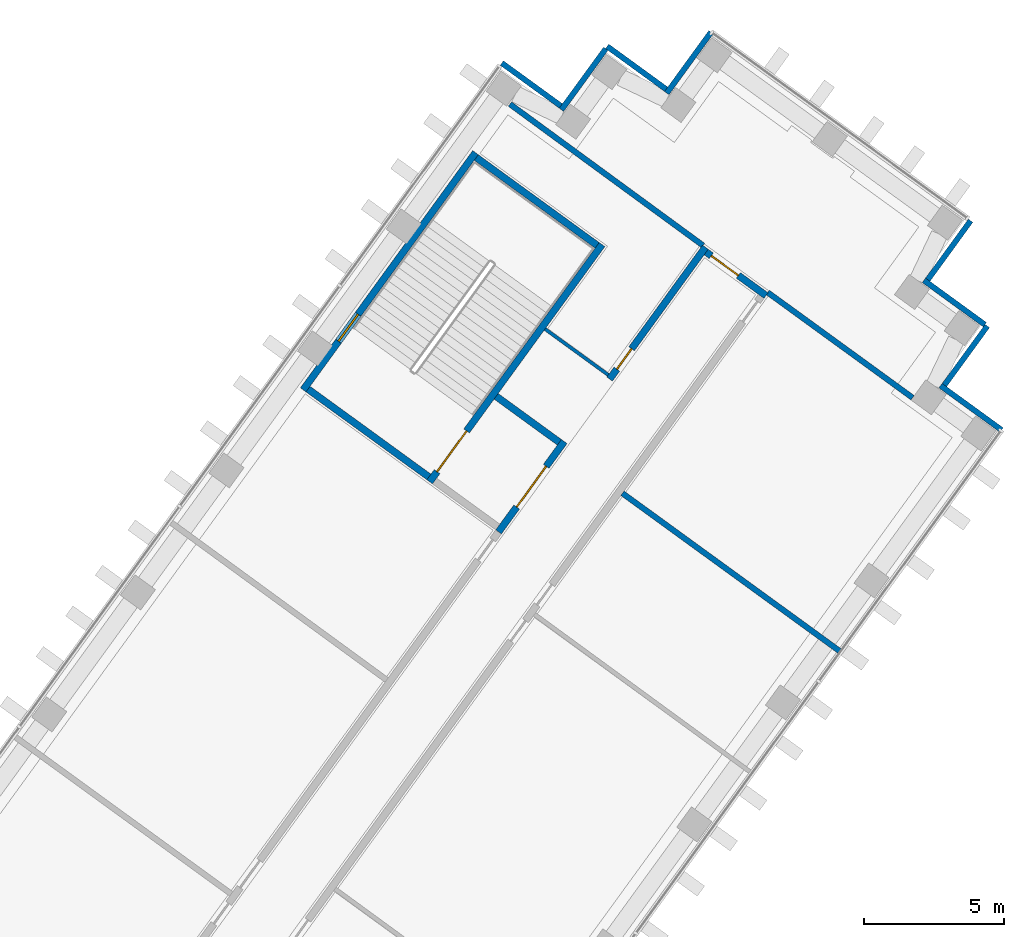
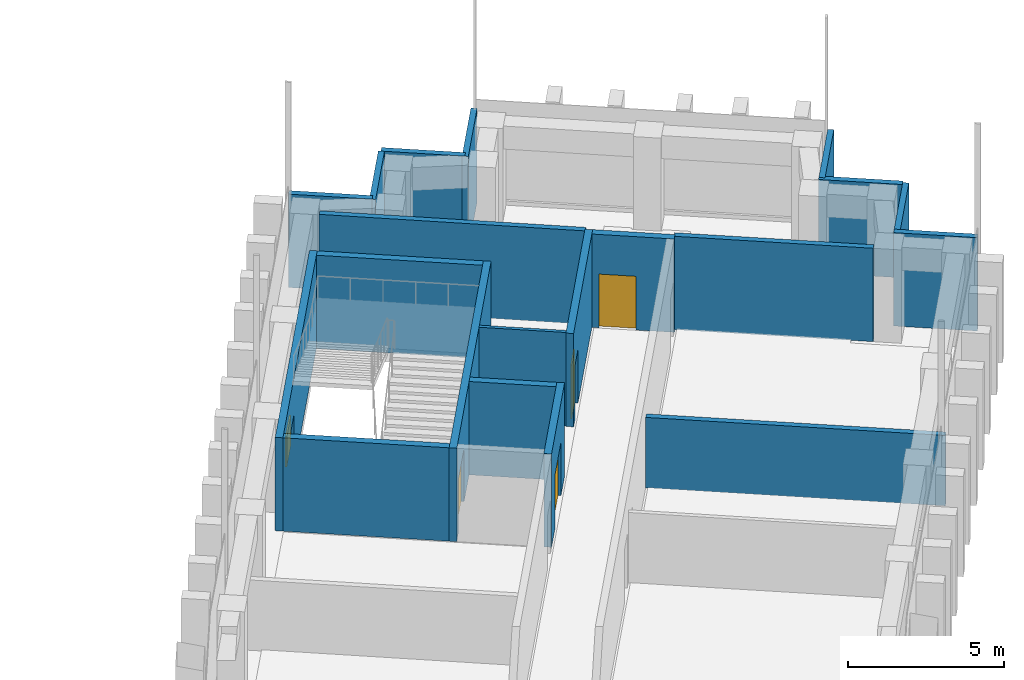
# One storey, part 14 of 19: 20 walls, 4 doors, 1 window, 5 openings.
"""IFC4 building model written with IfcOpenShell, lengths in metres."""

from ifc_helpers import new_model, si_unit, direction, frame, frame_2d, origin, place, context, subcontext, project, spatial, rectangle, extrude, material, layer, layer_set, type_object, element, fill, save


model = new_model("IFC4")

# Units and contexts
model_context = context("Model", 3, precision=1e-05, world=origin(), true_north=direction((0.0, 1.0)))
body_context = subcontext(model_context, "Body", "Model", "MODEL_VIEW")
ifc_project = project(units=[si_unit("LENGTHUNIT", "METRE"), si_unit("AREAUNIT", "SQUARE_METRE"), si_unit("VOLUMEUNIT", "CUBIC_METRE"), si_unit("PLANEANGLEUNIT", "RADIAN"), si_unit("MASSUNIT", "GRAM", prefix="KILO")], contexts=[model_context])

# Site, building, storey
site_placement = place(None, origin())
site = spatial("IfcSite", under=ifc_project, at=site_placement, CompositionType="ELEMENT")
building_placement = place(site_placement, origin())
building = spatial("IfcBuilding", under=site, at=building_placement, Name="Quipu Civic Tower", CompositionType="ELEMENT")
storey_placement = place(building_placement, frame((0.0, 0.0, 47.0)))
storey = spatial("IfcBuildingStorey", under=building, at=storey_placement, Name="L10", CompositionType="ELEMENT", Elevation=47.0)

# Walls
ifc_material_1 = material(Name="Fired clay blockwork", Category="masonry")
ifc_layer_1 = layer(ifc_material_1, 0.199951171875)
ifc_layer_set_1 = layer_set([ifc_layer_1], Name="Fired clay blockwork")
wall_type_1 = type_object("IfcWallType", Name="Blockwork wall 200", PredefinedType="SOLIDWALL", material=ifc_layer_set_1)
wall_1_placement = place(storey_placement, frame((37.643310546875, 41.296875, 0.0), z_axis=(0.0, 0.0, 1.0), x_axis=(0.806949857155, -0.590619952286, 0.0)))
element("IfcWall", 1, at=wall_1_placement, inside=storey, type_object=wall_type_1, Name="Partition P01", PredefinedType="SOLIDWALL", context=body_context, shape_type="SweptSolid", body=[
    extrude(rectangle(XDim=8.5703125, YDim=0.199951171875, at=frame_2d((4.28515625, 0.0))), origin(), (0.0, 0.0, 1.0), 3.64990234375),
])
wall_2_placement = place(storey_placement, frame((46.872802734375, 34.553955078125, 0.0), z_axis=(0.0, 0.0, 1.0), x_axis=(0.808992766665, -0.58781859743, 0.0)))
element("IfcWall", 2, at=wall_2_placement, inside=storey, type_object=wall_type_1, Name="Partition P02", PredefinedType="SOLIDWALL", context=body_context, shape_type="SweptSolid", body=[
    extrude(rectangle(XDim=6.414306640625, YDim=0.199951171875, at=frame_2d((3.20703125, 0.0))), origin(), (0.0, 0.0, 1.0), 3.64990234375),
])
wall_3_placement = place(storey_placement, frame((49.47998046875, 21.689697265625, 0.0), z_axis=(0.0, 0.0, 1.0), x_axis=(-0.808999631097, 0.587809150052, 0.0)))
element("IfcWall", 3, at=wall_3_placement, inside=storey, type_object=wall_type_1, Name="Partition P07", PredefinedType="SOLIDWALL", context=body_context, shape_type="SweptSolid", body=[
    extrude(rectangle(XDim=9.6513671875, YDim=0.199951171875, at=frame_2d((4.82568359375, 0.0))), origin(), (0.0, 0.0, 1.0), 2.75),
])

# Wall, opening, door
ifc_material_2 = material(Name="Concrete C70/85", Category="concrete")
ifc_layer_2 = layer(ifc_material_2, 0.25)
ifc_layer_set_2 = layer_set([ifc_layer_2], Name="Concrete C70/85")
wall_type_2 = type_object("IfcWallType", Name="Core wall 250", PredefinedType="SHEAR", material=ifc_layer_set_2)
wall_4_placement = place(storey_placement, frame((37.237548828125, 25.979736328125, 0.0), z_axis=(0.0, 0.0, 1.0), x_axis=(0.587772420479, 0.809026317077, 0.0)))
wall_4 = element("IfcWall", 4, at=wall_4_placement, inside=storey, type_object=wall_type_2, Name="Core wall", PredefinedType="SHEAR", context=body_context, shape_type="SweptSolid", body=[
    extrude(rectangle(XDim=4.0, YDim=0.25, at=frame_2d((2.0, 0.0))), origin(), (0.0, 0.0, 1.0), 3.64990234375),
])
opening_1_placement = place(wall_4_placement, frame((1.10009765625, 0.0, 0.0)))
opening_1 = element("IfcOpeningElement", 5, at=opening_1_placement, cuts=wall_4, Name="Opening CD-20", PredefinedType="OPENING", context=body_context, shape_type="SweptSolid", body=[
    extrude(rectangle(XDim=1.800048828125, YDim=2.10009765625, at=frame_2d((0.89990234375, 1.050048828125))), frame((0.0, 0.135009765625, 0.0), z_axis=(0.0, -1.0, 0.0), x_axis=(1.0, 0.0, 0.0)), (0.0, 0.0, 1.0), 0.27001953125),
])
ifc_material_3 = material(Name="Fire rated steel door", Category="steel")
door_type_1 = type_object("IfcDoorType", Name="Fire door FD90 double 1800 x 2100", OperationType="NOTDEFINED", PredefinedType="DOOR", material=ifc_material_3)
door_1_placement = place(opening_1_placement, origin())
door_1 = element("IfcDoor", 6, at=door_1_placement, inside=storey, type_object=door_type_1, Name="Lobby door", OperationType="DOUBLE_DOOR_SINGLE_SWING", OverallHeight=2.10009765625, OverallWidth=1.800048828125, PredefinedType="DOOR", context=body_context, shape_type="SweptSolid", body=[
    extrude(rectangle(XDim=1.800048828125, YDim=2.10009765625, at=frame_2d((0.89990234375, 1.050048828125))), frame((0.0, 0.02490234375, 0.0), z_axis=(0.0, -1.0, 0.0), x_axis=(1.0, 0.0, 0.0)), (0.0, 0.0, 1.0), 0.050048828125),
])
fill(opening_1, door_1)

# Wall
wall_5_placement = place(storey_placement, frame((39.4140625, 29.18798828125, 0.0), z_axis=(0.0, 0.0, 1.0), x_axis=(-0.808969789945, 0.58785021813, 0.0)))
element("IfcWall", 7, at=wall_5_placement, inside=storey, type_object=wall_type_2, Name="Core wall", PredefinedType="SHEAR", context=body_context, shape_type="SweptSolid", body=[
    extrude(rectangle(XDim=2.800048828125, YDim=0.25, at=frame_2d((1.39990234375, 0.0))), origin(), (0.0, 0.0, 1.0), 3.64990234375),
])

# Wall, opening, door
wall_6_placement = place(storey_placement, frame((34.77001953125, 27.7724609375, 0.0), z_axis=(0.0, 0.0, 1.0), x_axis=(0.587795589702, 0.809009483706, 0.0)))
wall_6 = element("IfcWall", 8, at=wall_6_placement, inside=storey, type_object=wall_type_2, Name="Core wall", PredefinedType="SHEAR", context=body_context, shape_type="SweptSolid", body=[
    extrude(rectangle(XDim=10.5, YDim=0.25, at=frame_2d((5.25, 0.0))), origin(), (0.0, 0.0, 1.0), 3.64990234375),
])
opening_2_placement = place(wall_6_placement, frame((0.449951171875, 0.0, 0.0)))
opening_2 = element("IfcOpeningElement", 9, at=opening_2_placement, cuts=wall_6, Name="Opening CD-21", PredefinedType="OPENING", context=body_context, shape_type="SweptSolid", body=[
    extrude(rectangle(XDim=1.800048828125, YDim=2.10009765625, at=frame_2d((0.89990234375, 1.050048828125))), frame((0.0, 0.135009765625, 0.0), z_axis=(0.0, -1.0, 0.0), x_axis=(1.0, 0.0, 0.0)), (0.0, 0.0, 1.0), 0.27001953125),
])
door_2_placement = place(opening_2_placement, origin())
door_2 = element("IfcDoor", 10, at=door_2_placement, inside=storey, type_object=door_type_1, Name="Door", OperationType="DOUBLE_DOOR_SINGLE_SWING", OverallHeight=2.10009765625, OverallWidth=1.800048828125, PredefinedType="DOOR", context=body_context, shape_type="SweptSolid", body=[
    extrude(rectangle(XDim=1.800048828125, YDim=2.10009765625, at=frame_2d((0.89990234375, 1.050048828125))), frame((0.0, 0.02490234375, 0.0), z_axis=(0.0, -1.0, 0.0), x_axis=(1.0, 0.0, 0.0)), (0.0, 0.0, 1.0), 0.050048828125),
])
fill(opening_2, door_2)

# Walls
wall_7_placement = place(storey_placement, frame((34.742431640625, 27.947021484375, 0.0), z_axis=(0.0, 0.0, 1.0), x_axis=(-0.8089984606, 0.587810760999, 0.0)))
element("IfcWall", 11, at=wall_7_placement, inside=storey, type_object=wall_type_2, Name="Core wall", PredefinedType="SHEAR", context=body_context, shape_type="SweptSolid", body=[
    extrude(rectangle(XDim=5.35009765625, YDim=0.25, at=frame_2d((2.675048828125, 0.0))), origin(), (0.0, 0.0, 1.0), 3.64990234375),
])
wall_8_placement = place(storey_placement, frame((40.76708984375, 36.239501953125, 0.0), z_axis=(0.0, 0.0, 1.0), x_axis=(-0.809020161303, 0.587780893365, 0.0)))
element("IfcWall", 12, at=wall_8_placement, inside=storey, type_object=wall_type_2, Name="Core wall", PredefinedType="SHEAR", context=body_context, shape_type="SweptSolid", body=[
    extrude(rectangle(XDim=5.349853515625, YDim=0.25, at=frame_2d((2.6748046875, 0.0))), origin(), (0.0, 0.0, 1.0), 3.64990234375),
])

# Wall, opening, window
wall_9_placement = place(storey_placement, frame((30.239501953125, 31.06396484375, 0.0), z_axis=(0.0, 0.0, 1.0), x_axis=(0.587795589702, 0.809009483706, 0.0)))
wall_9 = element("IfcWall", 13, at=wall_9_placement, inside=storey, type_object=wall_type_2, Name="Core wall", PredefinedType="SHEAR", context=body_context, shape_type="SweptSolid", body=[
    extrude(rectangle(XDim=10.5, YDim=0.25, at=frame_2d((5.25, 0.0))), origin(), (0.0, 0.0, 1.0), 3.64990234375),
])
opening_3_placement = place(wall_9_placement, frame((2.14990234375, 0.0, 1.0)))
opening_3 = element("IfcOpeningElement", 14, at=opening_3_placement, cuts=wall_9, Name="Opening SV-7", PredefinedType="OPENING", context=body_context, shape_type="SweptSolid", body=[
    extrude(rectangle(XDim=1.199951171875, YDim=1.199951171875, at=frame_2d((0.60009765625, 0.60009765625))), frame((0.0, 0.135009765625, 0.0), z_axis=(0.0, -1.0, 0.0), x_axis=(1.0, 0.0, 0.0)), (0.0, 0.0, 1.0), 0.27001953125),
])
ifc_material_4 = material(Name="Aluminium louvre", Category="aluminium")
window_type = type_object("IfcWindowType", Name="Stair ventilation louvre 1200 x 1200", PartitioningType="SINGLE_PANEL", PredefinedType="WINDOW", material=ifc_material_4)
window_placement = place(opening_3_placement, origin())
window = element("IfcWindow", 15, at=window_placement, inside=storey, type_object=window_type, Name="Stair ventilation opening", OverallHeight=1.199951171875, OverallWidth=1.199951171875, PartitioningType="SINGLE_PANEL", PredefinedType="WINDOW", context=body_context, shape_type="SweptSolid", body=[
    extrude(rectangle(XDim=1.199951171875, YDim=1.199951171875, at=frame_2d((0.60009765625, 0.60009765625))), frame((0.0, 0.030029296875, 0.0), z_axis=(0.0, -1.0, 0.0), x_axis=(1.0, 0.0, 0.0)), (0.0, 0.0, 1.0), 0.06005859375),
])
fill(opening_3, window)

# Wall, opening, door
ifc_material_5 = material(Name="Concrete C50/60", Category="concrete")
ifc_layer_3 = layer(ifc_material_5, 0.25)
ifc_layer_set_3 = layer_set([ifc_layer_3], Name="Concrete C50/60")
wall_type_3 = type_object("IfcWallType", Name="Corridor wall 250 concrete", PredefinedType="SOLIDWALL", material=ifc_layer_set_3)
wall_10_placement = place(storey_placement, frame((41.213134765625, 31.451416015625, 0.0), z_axis=(0.0, 0.0, 1.0), x_axis=(0.587783636081, 0.809018168619, 0.0)))
wall_10 = element("IfcWall", 16, at=wall_10_placement, inside=storey, type_object=wall_type_3, Name="Corridor wall C07", PredefinedType="SOLIDWALL", context=body_context, shape_type="SweptSolid", body=[
    extrude(rectangle(XDim=5.836669921875, YDim=0.25, at=frame_2d((2.91845703125, 0.0))), origin(), (0.0, 0.0, 1.0), 3.64990234375),
])
opening_4_placement = place(wall_10_placement, frame((0.44140625, 0.0, 0.0)))
opening_4 = element("IfcOpeningElement", 17, at=opening_4_placement, cuts=wall_10, Name="Opening D004", PredefinedType="OPENING", context=body_context, shape_type="SweptSolid", body=[
    extrude(rectangle(XDim=0.89990234375, YDim=2.10009765625, at=frame_2d((0.449951171875, 1.050048828125))), frame((0.0, 0.135009765625, 0.0), z_axis=(0.0, -1.0, 0.0), x_axis=(1.0, 0.0, 0.0)), (0.0, 0.0, 1.0), 0.27001953125),
])
ifc_material_6 = material(Name="Fire rated timber door set with metal frame", Category="wood")
door_type_2 = type_object("IfcDoorType", Name="Single door 900 x 2100 FD60", OperationType="NOTDEFINED", PredefinedType="DOOR", material=ifc_material_6)
door_3_placement = place(opening_4_placement, origin())
door_3 = element("IfcDoor", 18, at=door_3_placement, inside=storey, type_object=door_type_2, Name="Door D004", OperationType="SINGLE_SWING_LEFT", OverallHeight=2.10009765625, OverallWidth=0.89990234375, PredefinedType="DOOR", context=body_context, shape_type="SweptSolid", body=[
    extrude(rectangle(XDim=0.89990234375, YDim=2.10009765625, at=frame_2d((0.449951171875, 1.050048828125))), frame((0.0, 0.02490234375, 0.0), z_axis=(0.0, -1.0, 0.0), x_axis=(1.0, 0.0, 0.0)), (0.0, 0.0, 1.0), 0.050048828125),
])
fill(opening_4, door_3)

wall_11_placement = place(storey_placement, frame((44.67138671875, 35.998779296875, 0.0), z_axis=(0.0, 0.0, 1.0), x_axis=(0.809006914995, -0.587799125119, 0.0)))
wall_11 = element("IfcWall", 19, at=wall_11_placement, inside=storey, type_object=wall_type_3, Name="Corridor wall C08", PredefinedType="SOLIDWALL", context=body_context, shape_type="SweptSolid", body=[
    extrude(rectangle(XDim=2.64990234375, YDim=0.25, at=frame_2d((1.324951171875, 0.0))), origin(), (0.0, 0.0, 1.0), 3.64990234375),
])
opening_5_placement = place(wall_11_placement, frame((0.224853515625, 0.0, 0.0)))
opening_5 = element("IfcOpeningElement", 20, at=opening_5_placement, cuts=wall_11, Name="Opening D010", PredefinedType="OPENING", context=body_context, shape_type="SweptSolid", body=[
    extrude(rectangle(XDim=1.199951171875, YDim=2.10009765625, at=frame_2d((0.60009765625, 1.050048828125))), frame((0.0, 0.135009765625, 0.0), z_axis=(0.0, -1.0, 0.0), x_axis=(1.0, 0.0, 0.0)), (0.0, 0.0, 1.0), 0.27001953125),
])
ifc_material_7 = material(Name="Fire rated timber door set with metal frame", Category="wood")
door_type_3 = type_object("IfcDoorType", Name="Single door 1200 x 2100 FD60", OperationType="NOTDEFINED", PredefinedType="DOOR", material=ifc_material_7)
door_4_placement = place(opening_5_placement, origin())
door_4 = element("IfcDoor", 21, at=door_4_placement, inside=storey, type_object=door_type_3, Name="Door D010", OperationType="SINGLE_SWING_LEFT", OverallHeight=2.10009765625, OverallWidth=1.199951171875, PredefinedType="DOOR", context=body_context, shape_type="SweptSolid", body=[
    extrude(rectangle(XDim=1.199951171875, YDim=2.10009765625, at=frame_2d((0.60009765625, 1.050048828125))), frame((0.0, 0.02490234375, 0.0), z_axis=(0.0, -1.0, 0.0), x_axis=(1.0, 0.0, 0.0)), (0.0, 0.0, 1.0), 0.050048828125),
])
fill(opening_5, door_4)

# Walls
ifc_material_8 = material(Name="Gypsum plasterboard on light gauge framing")
ifc_layer_4 = layer(ifc_material_8, 0.1201171875)
ifc_layer_set_4 = layer_set([ifc_layer_4], Name="Gypsum plasterboard on light gauge framing")
wall_type_4 = type_object("IfcWallType", Name="Partition 120 plasterboard", PredefinedType="PARTITIONING", material=ifc_layer_set_4)
wall_12_placement = place(storey_placement, frame((38.89990234375, 33.2451171875, 0.0), z_axis=(0.0, 0.0, 1.0), x_axis=(0.809090262332, -0.587684394381, 0.0)))
element("IfcWall", 22, at=wall_12_placement, inside=storey, type_object=wall_type_4, Name="Partition P20", PredefinedType="PARTITIONING", context=body_context, shape_type="SweptSolid", body=[
    extrude(rectangle(XDim=2.80078125, YDim=0.1201171875, at=frame_2d((1.400390625, 0.0))), origin(), (0.0, 0.0, 1.0), 3.64990234375),
])
ifc_material_9 = material(Name="Precast concrete C40/50", Category="concrete")
wall_type_5 = type_object("IfcWallType", Name="Precast cladding wall", PredefinedType="SOLIDWALL", material=ifc_material_9)
wall_13_placement = place(storey_placement, frame((55.2470703125, 29.62890625, 0.0), z_axis=(0.0, 0.0, 1.0), x_axis=(-0.809033161865, 0.587762999008, 0.0)))
element("IfcWall", 23, at=wall_13_placement, inside=storey, type_object=wall_type_5, Name="Precast cladding wall L10 P17", PredefinedType="SOLIDWALL", context=body_context, shape_type="SweptSolid", body=[
    extrude(rectangle(XDim=2.699951171875, YDim=0.199951171875, at=frame_2d((1.35009765625, 0.0))), origin(), (0.0, 0.0, 1.0), 3.64990234375),
])
wall_14_placement = place(storey_placement, frame((53.150634765625, 31.166748046875, 0.0), z_axis=(0.0, 0.0, 1.0), x_axis=(0.587779184282, 0.809021403008, 0.0)))
element("IfcWall", 24, at=wall_14_placement, inside=storey, type_object=wall_type_5, Name="Precast cladding wall L10 P18", PredefinedType="SOLIDWALL", context=body_context, shape_type="SweptSolid", body=[
    extrude(rectangle(XDim=2.7001953125, YDim=0.199951171875, at=frame_2d((1.35009765625, 0.0))), origin(), (0.0, 0.0, 1.0), 3.64990234375),
])
for number, where, z_axis, x_axis, name in (
    (25, (54.649658203125, 33.400390625, 0.0), (0.0, 0.0, 1.0), (-0.809033161865, 0.587762999008, 0.0), "Precast cladding wall L10 P19"),
    (26, (52.55322265625, 34.938232421875, 0.0), (0.0, 0.0, 1.0), (0.587822180636, 0.808990163075, 0.0), "Precast cladding wall L10 P20"),
    (27, (44.846435546875, 43.875, 0.0), (0.0, 0.0, 1.0), (-0.587822180636, -0.808990163075, 0.0), "Precast cladding wall L10 P22"),
    (28, (43.308349609375, 41.77880859375, 0.0), (0.0, 0.0, 1.0), (-0.809033161865, 0.587762999008, 0.0), "Precast cladding wall L10 P23"),
):
    element("IfcWall", number, at=place(storey_placement, frame(where, z_axis=z_axis, x_axis=x_axis)), inside=storey, type_object=wall_type_5, Name=name, PredefinedType="SOLIDWALL", context=body_context, shape_type="SweptSolid", body=[
        extrude(rectangle(XDim=2.699951171875, YDim=0.199951171875, at=frame_2d((1.35009765625, 0.0))), origin(), (0.0, 0.0, 1.0), 3.64990234375),
    ])
wall_15_placement = place(storey_placement, frame((41.074951171875, 43.277587890625, 0.0), z_axis=(0.0, 0.0, 1.0), x_axis=(-0.587806000234, -0.809001919707, 0.0)))
element("IfcWall", 29, at=wall_15_placement, inside=storey, type_object=wall_type_5, Name="Precast cladding wall L10 P24", PredefinedType="SOLIDWALL", context=body_context, shape_type="SweptSolid", body=[
    extrude(rectangle(XDim=2.69970703125, YDim=0.199951171875, at=frame_2d((1.349853515625, 0.0))), origin(), (0.0, 0.0, 1.0), 3.64990234375),
])
wall_16_placement = place(storey_placement, frame((39.537109375, 41.181396484375, 0.0), z_axis=(0.0, 0.0, 1.0), x_axis=(-0.809033161865, 0.587762999008, 0.0)))
element("IfcWall", 30, at=wall_16_placement, inside=storey, type_object=wall_type_5, Name="Precast cladding wall L10 P25", PredefinedType="SOLIDWALL", context=body_context, shape_type="SweptSolid", body=[
    extrude(rectangle(XDim=2.699951171875, YDim=0.199951171875, at=frame_2d((1.35009765625, 0.0))), origin(), (0.0, 0.0, 1.0), 3.64990234375),
])

save(model, "model.ifc")
